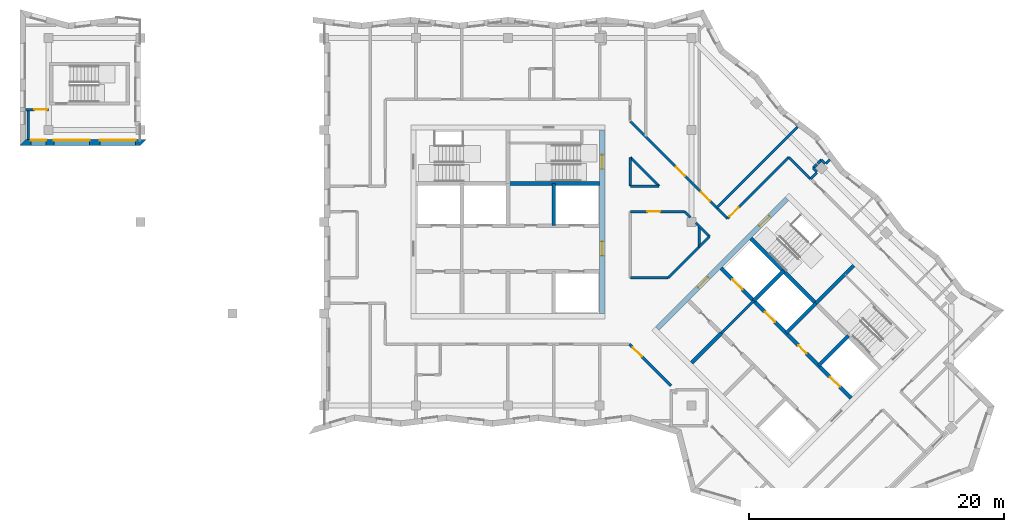
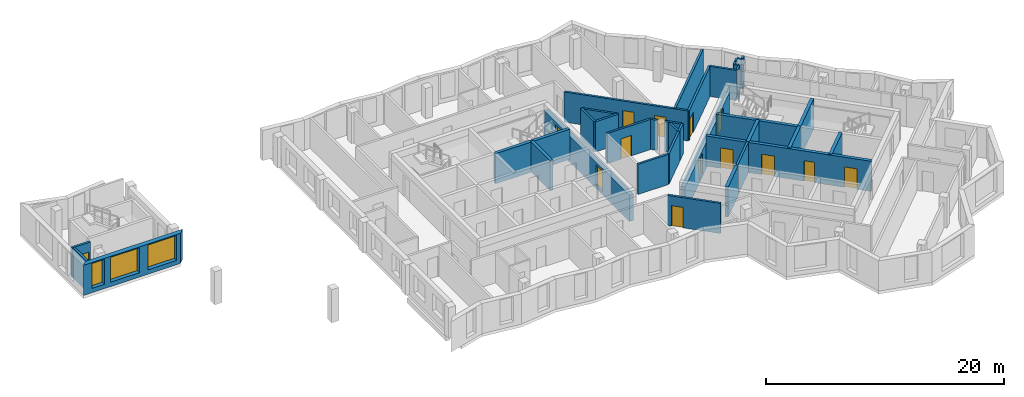
# One storey, part 4 of 12: 36 walls, 14 doors, 3 windows, 17 openings.
"""IFC4 building model written with IfcOpenShell, lengths in metres."""

from ifc_helpers import new_model, si_unit, direction, frame, frame_2d, origin, place, context, subcontext, project, spatial, polyline, rectangle, outline, extrude, material, layer, layer_set, type_object, element, fill, save


model = new_model("IFC4")

# Units and contexts
model_context = context("Model", 3, precision=1e-05, world=origin(), true_north=direction((0.0, 1.0)))
body_context = subcontext(model_context, "Body", "Model", "MODEL_VIEW")
ifc_project = project(units=[si_unit("LENGTHUNIT", "METRE"), si_unit("AREAUNIT", "SQUARE_METRE"), si_unit("VOLUMEUNIT", "CUBIC_METRE"), si_unit("PLANEANGLEUNIT", "RADIAN"), si_unit("MASSUNIT", "GRAM", prefix="KILO")], contexts=[model_context])

# Site, building, storey
site_placement = place(None, origin())
site = spatial("IfcSite", under=ifc_project, at=site_placement, CompositionType="ELEMENT")
building_placement = place(site_placement, origin())
building = spatial("IfcBuilding", under=site, at=building_placement, Name="Windrow Commons", CompositionType="ELEMENT")
storey_placement = place(building_placement, frame((0.0, 0.0, 260.8)))
storey = spatial("IfcBuildingStorey", under=building, at=storey_placement, Name="L71", CompositionType="ELEMENT", Elevation=260.8)

# Wall, openings, windows
ifc_material_1 = material(Name="Brick masonry, red clay brick", Category="masonry")
ifc_layer_1 = layer(ifc_material_1, 0.45)
ifc_layer_set_1 = layer_set([ifc_layer_1], Name="Brick facade wall 450")
wall_type_1 = type_object("IfcWallType", Name="Brick facade wall 450", PredefinedType="SOLIDWALL", material=ifc_layer_set_1)
wall_1_placement = place(storey_placement, frame((26.774, 63.825, 0.0), z_axis=(0.0, 0.0, 1.0), x_axis=(1.0, 0.0, 0.0)))
wall_1 = element("IfcWall", 1, at=wall_1_placement, inside=storey, type_object=wall_type_1, Name="Brick facade wall L71 32", PredefinedType="SOLIDWALL", context=body_context, shape_type="SweptSolid", body=[
    extrude(outline(polyline([(-0.225, -0.225), (9.226, -0.225), (9.676, 0.225), (0.225, 0.225), (-0.225, -0.225)])), origin(), (0.0, 0.0, 1.0), 3.1),
])
opening_1_placement = place(wall_1_placement, frame((2.426, 0.0, 0.45)))
opening_1 = element("IfcOpeningElement", 2, at=opening_1_placement, cuts=wall_1, Name="Opening W1V", PredefinedType="OPENING", context=body_context, shape_type="SweptSolid", body=[
    extrude(rectangle(XDim=2.8, YDim=2.55, at=frame_2d((1.4, 1.275))), frame((0.0, 0.235, 0.0), z_axis=(0.0, -1.0, 0.0), x_axis=(1.0, 0.0, 0.0)), (0.0, 0.0, 1.0), 0.47),
])
opening_2_placement = place(wall_1_placement, frame((6.0385, 0.0, 0.45)))
opening_2 = element("IfcOpeningElement", 3, at=opening_2_placement, cuts=wall_1, Name="Opening W1V", PredefinedType="OPENING", context=body_context, shape_type="SweptSolid", body=[
    extrude(rectangle(XDim=2.8, YDim=2.55, at=frame_2d((1.4, 1.275))), frame((0.0, 0.235, 0.0), z_axis=(0.0, -1.0, 0.0), x_axis=(1.0, 0.0, 0.0)), (0.0, 0.0, 1.0), 0.47),
])
opening_3_placement = place(wall_1_placement, frame((0.6255, 0.0, 0.45)))
opening_3 = element("IfcOpeningElement", 4, at=opening_3_placement, cuts=wall_1, Name="Opening W7F", PredefinedType="OPENING", context=body_context, shape_type="SweptSolid", body=[
    extrude(rectangle(XDim=1.2, YDim=2.55, at=frame_2d((0.6, 1.275))), frame((0.0, 0.235, 0.0), z_axis=(0.0, -1.0, 0.0), x_axis=(1.0, 0.0, 0.0)), (0.0, 0.0, 1.0), 0.47),
])
ifc_material_2 = material(Name="Clear float glass in anodised aluminium frame", Category="aluminium")
window_type_1 = type_object("IfcWindowType", Name="Window W1V bedroom 2800x2550", PartitioningType="SINGLE_PANEL", PredefinedType="WINDOW", material=ifc_material_2)
window_1_placement = place(opening_1_placement, origin())
window_1 = element("IfcWindow", 5, at=window_1_placement, inside=storey, type_object=window_type_1, Name="Window L71 32.1", OverallHeight=2.55, OverallWidth=2.8, PartitioningType="SINGLE_PANEL", PredefinedType="WINDOW", context=body_context, shape_type="SweptSolid", body=[
    extrude(rectangle(XDim=2.8, YDim=2.55, at=frame_2d((1.4, 1.275))), frame((0.0, 0.205, 0.0), z_axis=(0.0, -1.0, 0.0), x_axis=(1.0, 0.0, 0.0)), (0.0, 0.0, 1.0), 0.06),
])
fill(opening_1, window_1)
window_2_placement = place(opening_2_placement, origin())
window_2 = element("IfcWindow", 6, at=window_2_placement, inside=storey, type_object=window_type_1, Name="Window L71 32.2", OverallHeight=2.55, OverallWidth=2.8, PartitioningType="SINGLE_PANEL", PredefinedType="WINDOW", context=body_context, shape_type="SweptSolid", body=[
    extrude(rectangle(XDim=2.8, YDim=2.55, at=frame_2d((1.4, 1.275))), frame((0.0, 0.205, 0.0), z_axis=(0.0, -1.0, 0.0), x_axis=(1.0, 0.0, 0.0)), (0.0, 0.0, 1.0), 0.06),
])
fill(opening_2, window_2)
ifc_material_3 = material(Name="Clear float glass in anodised aluminium frame", Category="aluminium")
window_type_2 = type_object("IfcWindowType", Name="Window W7 notch 1200x2550", PartitioningType="SINGLE_PANEL", PredefinedType="WINDOW", material=ifc_material_3)
window_3_placement = place(opening_3_placement, origin())
window_3 = element("IfcWindow", 7, at=window_3_placement, inside=storey, type_object=window_type_2, Name="Window L71 32.3", OverallHeight=2.55, OverallWidth=1.2, PartitioningType="SINGLE_PANEL", PredefinedType="WINDOW", context=body_context, shape_type="SweptSolid", body=[
    extrude(rectangle(XDim=1.2, YDim=2.55, at=frame_2d((0.6, 1.275))), frame((0.0, 0.205, 0.0), z_axis=(0.0, -1.0, 0.0), x_axis=(1.0, 0.0, 0.0)), (0.0, 0.0, 1.0), 0.06),
])
fill(opening_3, window_3)

# Wall
ifc_material_4 = material(Name="Blockwork partition", Category="masonry")
ifc_layer_2 = layer(ifc_material_4, 0.2)
ifc_layer_set_2 = layer_set([ifc_layer_2], Name="Fire lobby partition 200")
wall_type_2 = type_object("IfcWallType", Name="Fire lobby partition 200", PredefinedType="PARTITIONING", material=ifc_layer_set_2)
wall_2_placement = place(storey_placement, frame((81.5335, 48.8776, 0.0), z_axis=(0.0, 0.0, 1.0), x_axis=(0.707092892, 0.7071206701, 0.0)))
element("IfcWall", 8, at=wall_2_placement, inside=storey, type_object=wall_type_2, Name="W-core-lobby-B-L71", PredefinedType="PARTITIONING", context=body_context, shape_type="SweptSolid", body=[
    extrude(rectangle(XDim=3.6, YDim=0.2, at=frame_2d((1.8, 0.0))), origin(), (0.0, 0.0, 1.0), 3.1),
])

# Wall, openings, doors
ifc_material_5 = material(Name="Blockwork partition", Category="masonry")
ifc_layer_3 = layer(ifc_material_5, 0.2)
ifc_layer_set_3 = layer_set([ifc_layer_3], Name="IW-CORRIDOR-200")
wall_type_3 = type_object("IfcWallType", Name="IW-CORRIDOR-200", PredefinedType="PARTITIONING", material=ifc_layer_set_3)
wall_3_placement = place(storey_placement, frame((74.3969, 65.4829, 0.0), z_axis=(0.0, 0.0, 1.0), x_axis=(0.7071067812, -0.7071067812, 0.0)))
wall_3 = element("IfcWall", 9, at=wall_3_placement, inside=storey, type_object=wall_type_3, Name="W-L71-W005", PredefinedType="PARTITIONING", context=body_context, shape_type="SweptSolid", body=[
    extrude(rectangle(XDim=10.7876, YDim=0.2, at=frame_2d((5.3938, 0.0))), origin(), (0.0, 0.0, 1.0), 3.1),
])
opening_4_placement = place(wall_3_placement, frame((5.0831, 0.0, 0.0)))
opening_4 = element("IfcOpeningElement", 10, at=opening_4_placement, cuts=wall_3, Name="Opening D310F", PredefinedType="OPENING", context=body_context, shape_type="SweptSolid", body=[
    extrude(rectangle(XDim=1.0, YDim=2.1, at=frame_2d((0.5, 1.05))), frame((0.0, 0.11, 0.0), z_axis=(0.0, -1.0, 0.0), x_axis=(1.0, 0.0, 0.0)), (0.0, 0.0, 1.0), 0.22),
])
opening_5_placement = place(wall_3_placement, frame((7.858, 0.0, 0.0)))
opening_5 = element("IfcOpeningElement", 11, at=opening_5_placement, cuts=wall_3, Name="Opening D310F", PredefinedType="OPENING", context=body_context, shape_type="SweptSolid", body=[
    extrude(rectangle(XDim=1.0, YDim=2.1, at=frame_2d((0.5, 1.05))), frame((0.0, 0.11, 0.0), z_axis=(0.0, -1.0, 0.0), x_axis=(1.0, 0.0, 0.0)), (0.0, 0.0, 1.0), 0.22),
])
ifc_material_6 = material(Name="Timber door leaf", Category="wood")
door_type_1 = type_object("IfcDoorType", Name="DT-AMENITY-1000", OperationType="SINGLE_SWING_LEFT", PredefinedType="DOOR", material=ifc_material_6)
door_1_placement = place(opening_4_placement, origin())
door_1 = element("IfcDoor", 12, at=door_1_placement, inside=storey, type_object=door_type_1, Name="D-L71-D016", OperationType="SINGLE_SWING_LEFT", OverallHeight=2.1, OverallWidth=1.0, PredefinedType="DOOR", context=body_context, shape_type="SweptSolid", body=[
    extrude(rectangle(XDim=1.0, YDim=2.1, at=frame_2d((0.5, 1.05))), frame((0.0, 0.025, 0.0), z_axis=(0.0, -1.0, 0.0), x_axis=(1.0, 0.0, 0.0)), (0.0, 0.0, 1.0), 0.05),
])
fill(opening_4, door_1)
door_2_placement = place(opening_5_placement, origin())
door_2 = element("IfcDoor", 13, at=door_2_placement, inside=storey, type_object=door_type_1, Name="D-L71-D018", OperationType="SINGLE_SWING_LEFT", OverallHeight=2.1, OverallWidth=1.0, PredefinedType="DOOR", context=body_context, shape_type="SweptSolid", body=[
    extrude(rectangle(XDim=1.0, YDim=2.1, at=frame_2d((0.5, 1.05))), frame((0.0, 0.025, 0.0), z_axis=(0.0, -1.0, 0.0), x_axis=(1.0, 0.0, 0.0)), (0.0, 0.0, 1.0), 0.05),
])
fill(opening_5, door_2)

# Wall, opening, door
wall_4_placement = place(storey_placement, frame((82.0275, 57.8585, 0.0), z_axis=(0.0, 0.0, 1.0), x_axis=(0.7071067812, 0.7071067812, 0.0)))
wall_4 = element("IfcWall", 14, at=wall_4_placement, inside=storey, type_object=wall_type_3, Name="W-L71-W012", PredefinedType="PARTITIONING", context=body_context, shape_type="SweptSolid", body=[
    extrude(rectangle(XDim=6.7995, YDim=0.2, at=frame_2d((3.3998, 0.0))), origin(), (0.0, 0.0, 1.0), 3.1),
])
opening_6_placement = place(wall_4_placement, frame((0.2109, 0.0, 0.0)))
opening_6 = element("IfcOpeningElement", 15, at=opening_6_placement, cuts=wall_4, Name="Opening D310F", PredefinedType="OPENING", context=body_context, shape_type="SweptSolid", body=[
    extrude(rectangle(XDim=1.0, YDim=2.1, at=frame_2d((0.5, 1.05))), frame((0.0, 0.11, 0.0), z_axis=(0.0, -1.0, 0.0), x_axis=(1.0, 0.0, 0.0)), (0.0, 0.0, 1.0), 0.22),
])
door_3_placement = place(opening_6_placement, origin())
door_3 = element("IfcDoor", 16, at=door_3_placement, inside=storey, type_object=door_type_1, Name="D-L71-D020", OperationType="SINGLE_SWING_RIGHT", OverallHeight=2.1, OverallWidth=1.0, PredefinedType="DOOR", context=body_context, shape_type="SweptSolid", body=[
    extrude(rectangle(XDim=1.0, YDim=2.1, at=frame_2d((0.5, 1.05))), frame((0.0, 0.025, 0.0), z_axis=(0.0, -1.0, 0.0), x_axis=(1.0, 0.0, 0.0)), (0.0, 0.0, 1.0), 0.05),
])
fill(opening_6, door_3)

wall_5_placement = place(storey_placement, frame((74.3468, 47.9968, 0.0), z_axis=(0.0, 0.0, 1.0), x_axis=(0.7071067812, -0.7071067812, 0.0)))
wall_5 = element("IfcWall", 17, at=wall_5_placement, inside=storey, type_object=wall_type_3, Name="W-L71-W023", PredefinedType="PARTITIONING", context=body_context, shape_type="SweptSolid", body=[
    extrude(rectangle(XDim=4.5962, YDim=0.2, at=frame_2d((2.2981, 0.0))), origin(), (0.0, 0.0, 1.0), 3.1),
])
opening_7_placement = place(wall_5_placement, frame((0.3498, 0.0, 0.0)))
opening_7 = element("IfcOpeningElement", 18, at=opening_7_placement, cuts=wall_5, Name="Opening D310F", PredefinedType="OPENING", context=body_context, shape_type="SweptSolid", body=[
    extrude(rectangle(XDim=1.0, YDim=2.1, at=frame_2d((0.5, 1.05))), frame((0.0, 0.11, 0.0), z_axis=(0.0, -1.0, 0.0), x_axis=(1.0, 0.0, 0.0)), (0.0, 0.0, 1.0), 0.22),
])
door_4_placement = place(opening_7_placement, origin())
door_4 = element("IfcDoor", 19, at=door_4_placement, inside=storey, type_object=door_type_1, Name="D-L71-D006", OperationType="SINGLE_SWING_LEFT", OverallHeight=2.1, OverallWidth=1.0, PredefinedType="DOOR", context=body_context, shape_type="SweptSolid", body=[
    extrude(rectangle(XDim=1.0, YDim=2.1, at=frame_2d((0.5, 1.05))), frame((0.0, 0.025, 0.0), z_axis=(0.0, -1.0, 0.0), x_axis=(1.0, 0.0, 0.0)), (0.0, 0.0, 1.0), 0.05),
])
fill(opening_7, door_4)

wall_6_placement = place(storey_placement, frame((74.402, 58.4, 0.0), z_axis=(0.0, 0.0, 1.0), x_axis=(1.0, 0.0, 0.0)))
wall_6 = element("IfcWall", 20, at=wall_6_placement, inside=storey, type_object=wall_type_3, Name="W-L71-W030", PredefinedType="PARTITIONING", context=body_context, shape_type="SweptSolid", body=[
    extrude(rectangle(XDim=4.256, YDim=0.2, at=frame_2d((2.128, 0.0))), origin(), (0.0, 0.0, 1.0), 3.1),
])
opening_8_placement = place(wall_6_placement, frame((1.3312, 0.0, 0.0)))
opening_8 = element("IfcOpeningElement", 21, at=opening_8_placement, cuts=wall_6, Name="Opening D310F", PredefinedType="OPENING", context=body_context, shape_type="SweptSolid", body=[
    extrude(rectangle(XDim=1.0, YDim=2.1, at=frame_2d((0.5, 1.05))), frame((0.0, 0.11, 0.0), z_axis=(0.0, -1.0, 0.0), x_axis=(1.0, 0.0, 0.0)), (0.0, 0.0, 1.0), 0.22),
])
door_5_placement = place(opening_8_placement, origin())
door_5 = element("IfcDoor", 22, at=door_5_placement, inside=storey, type_object=door_type_1, Name="D-L71-D008", OperationType="SINGLE_SWING_RIGHT", OverallHeight=2.1, OverallWidth=1.0, PredefinedType="DOOR", context=body_context, shape_type="SweptSolid", body=[
    extrude(rectangle(XDim=1.0, YDim=2.1, at=frame_2d((0.5, 1.05))), frame((0.0, 0.025, 0.0), z_axis=(0.0, -1.0, 0.0), x_axis=(1.0, 0.0, 0.0)), (0.0, 0.0, 1.0), 0.05),
])
fill(opening_8, door_5)

# Walls
wall_7_placement = place(storey_placement, frame((77.3695, 53.2005, 0.0), z_axis=(0.0, 0.0, 1.0), x_axis=(0.7071067812, 0.7071067812, 0.0)))
element("IfcWall", 23, at=wall_7_placement, inside=storey, type_object=wall_type_3, Name="W-L71-W034", PredefinedType="PARTITIONING", context=body_context, shape_type="SweptSolid", body=[
    extrude(rectangle(XDim=3.4365, YDim=0.2, at=frame_2d((1.7183, 0.0))), origin(), (0.0, 0.0, 1.0), 3.1),
])
wall_8_placement = place(storey_placement, frame((74.3987, 62.6527, 0.0), z_axis=(0.0, 0.0, 1.0), x_axis=(0.7071067812, -0.7071067812, 0.0)))
element("IfcWall", 24, at=wall_8_placement, inside=storey, type_object=wall_type_3, Name="W-L71-W040", PredefinedType="PARTITIONING", context=body_context, shape_type="SweptSolid", body=[
    extrude(rectangle(XDim=3.1876, YDim=0.2, at=frame_2d((1.5938, 0.0))), origin(), (0.0, 0.0, 1.0), 3.1),
])
wall_9_placement = place(storey_placement, frame((74.402, 53.2, 0.0), z_axis=(0.0, 0.0, 1.0), x_axis=(1.0, 0.0, 0.0)))
element("IfcWall", 25, at=wall_9_placement, inside=storey, type_object=wall_type_3, Name="W-L71-W043", PredefinedType="PARTITIONING", context=body_context, shape_type="SweptSolid", body=[
    extrude(rectangle(XDim=2.968, YDim=0.2, at=frame_2d((1.484, 0.0))), origin(), (0.0, 0.0, 1.0), 3.1),
])
wall_10_placement = place(storey_placement, frame((86.8333, 62.6633, 0.0), z_axis=(0.0, 0.0, 1.0), x_axis=(0.7075233388, -0.706689978, 0.0)))
element("IfcWall", 26, at=wall_10_placement, inside=storey, type_object=wall_type_3, Name="W-L71-W053", PredefinedType="PARTITIONING", context=body_context, shape_type="SweptSolid", body=[
    extrude(rectangle(XDim=2.3999, YDim=0.2, at=frame_2d((1.2, 0.0))), origin(), (0.0, 0.0, 1.0), 3.1),
])
wall_11_placement = place(storey_placement, frame((27.2, 64.05, 0.0), z_axis=(0.0, 0.0, 1.0), x_axis=(0.0, 1.0, 0.0)))
element("IfcWall", 27, at=wall_11_placement, inside=storey, type_object=wall_type_3, Name="W-L71-W057", PredefinedType="PARTITIONING", context=body_context, shape_type="SweptSolid", body=[
    extrude(rectangle(XDim=2.348, YDim=0.2, at=frame_2d((1.174, 0.0))), origin(), (0.0, 0.0, 1.0), 3.1),
])
for number, where, z_axis, x_axis, name in (
    (28, (74.402, 60.4, 0.0), (0.0, 0.0, 1.0), (1.0, 0.0, 0.0), "W-L71-W058"),
    (29, (74.4, 60.402, 0.0), (0.0, 0.0, 1.0), (0.0, 1.0, 0.0), "W-L71-W059"),
):
    element("IfcWall", number, at=place(storey_placement, frame(where, z_axis=z_axis, x_axis=x_axis)), inside=storey, type_object=wall_type_3, Name=name, PredefinedType="PARTITIONING", context=body_context, shape_type="SweptSolid", body=[
        extrude(rectangle(XDim=2.254, YDim=0.2, at=frame_2d((1.127, 0.0))), origin(), (0.0, 0.0, 1.0), 3.1),
    ])

# Wall, opening, door
wall_12_placement = place(storey_placement, frame((26.999, 66.4, 0.0), z_axis=(0.0, 0.0, 1.0), x_axis=(1.0, 0.0, 0.0)))
wall_12 = element("IfcWall", 30, at=wall_12_placement, inside=storey, type_object=wall_type_3, Name="W-L71-W071", PredefinedType="PARTITIONING", context=body_context, shape_type="SweptSolid", body=[
    extrude(rectangle(XDim=1.801, YDim=0.2, at=frame_2d((0.9005, 0.0))), origin(), (0.0, 0.0, 1.0), 3.1),
])
opening_9_placement = place(wall_12_placement, frame((0.678, 0.0, 0.0)))
opening_9 = element("IfcOpeningElement", 31, at=opening_9_placement, cuts=wall_12, Name="Opening D310F", PredefinedType="OPENING", context=body_context, shape_type="SweptSolid", body=[
    extrude(rectangle(XDim=1.0, YDim=2.1, at=frame_2d((0.5, 1.05))), frame((0.0, 0.11, 0.0), z_axis=(0.0, -1.0, 0.0), x_axis=(1.0, 0.0, 0.0)), (0.0, 0.0, 1.0), 0.22),
])
door_6_placement = place(opening_9_placement, origin())
door_6 = element("IfcDoor", 32, at=door_6_placement, inside=storey, type_object=door_type_1, Name="D-L71-D017", OperationType="SINGLE_SWING_LEFT", OverallHeight=2.1, OverallWidth=1.0, PredefinedType="DOOR", context=body_context, shape_type="SweptSolid", body=[
    extrude(rectangle(XDim=1.0, YDim=2.1, at=frame_2d((0.5, 1.05))), frame((0.0, 0.025, 0.0), z_axis=(0.0, -1.0, 0.0), x_axis=(1.0, 0.0, 0.0)), (0.0, 0.0, 1.0), 0.05),
])
fill(opening_9, door_6)

# Walls
wall_13_placement = place(storey_placement, frame((79.5467, 57.5047, 0.0), z_axis=(0.0, 0.0, 1.0), x_axis=(0.7071067812, -0.7071067812, 0.0)))
element("IfcWall", 33, at=wall_13_placement, inside=storey, type_object=wall_type_3, Name="W-L71-W073", PredefinedType="PARTITIONING", context=body_context, shape_type="SweptSolid", body=[
    extrude(rectangle(XDim=1.5047, YDim=0.2, at=frame_2d((0.7523, 0.0))), origin(), (0.0, 0.0, 1.0), 3.1),
])
wall_14_placement = place(storey_placement, frame((79.7979, 55.6321, 0.0), z_axis=(0.0, 0.0, 1.0), x_axis=(0.7079759957, 0.7062364969, 0.0)))
element("IfcWall", 34, at=wall_14_placement, inside=storey, type_object=wall_type_3, Name="W-L71-W075", PredefinedType="PARTITIONING", context=body_context, shape_type="SweptSolid", body=[
    extrude(rectangle(XDim=1.1498, YDim=0.2, at=frame_2d((0.5749, 0.0))), origin(), (0.0, 0.0, 1.0), 3.1),
])
wall_15_placement = place(storey_placement, frame((78.6547, 58.3967, 0.0), z_axis=(0.0, 0.0, 1.0), x_axis=(0.7071067812, -0.7071067812, 0.0)))
element("IfcWall", 35, at=wall_15_placement, inside=storey, type_object=wall_type_3, Name="W-L71-W089", PredefinedType="PARTITIONING", context=body_context, shape_type="SweptSolid", body=[
    extrude(rectangle(XDim=0.6364, YDim=0.2, at=frame_2d((0.3182, 0.0))), origin(), (0.0, 0.0, 1.0), 3.1),
])
ifc_material_7 = material(Name="Blockwork partition", Category="masonry")
ifc_layer_4 = layer(ifc_material_7, 0.2)
ifc_layer_set_4 = layer_set([ifc_layer_4], Name="IW-PARTY-200")
wall_type_4 = type_object("IfcWallType", Name="IW-PARTY-200", PredefinedType="PARTITIONING", material=ifc_layer_set_4)
wall_16_placement = place(storey_placement, frame((81.1789, 58.7071, 0.0), z_axis=(0.0, 0.0, 1.0), x_axis=(0.7071067812, 0.7071067812, 0.0)))
element("IfcWall", 36, at=wall_16_placement, inside=storey, type_object=wall_type_4, Name="W-L71-W007", PredefinedType="PARTITIONING", context=body_context, shape_type="SweptSolid", body=[
    extrude(rectangle(XDim=8.9804, YDim=0.2, at=frame_2d((4.4902, 0.0))), origin(), (0.0, 0.0, 1.0), 3.1),
])
wall_17_placement = place(storey_placement, frame((79.8, 55.63, 0.0), z_axis=(0.0, 0.0, 1.0), x_axis=(0.0, 1.0, 0.0)))
element("IfcWall", 37, at=wall_17_placement, inside=storey, type_object=wall_type_4, Name="W-L71-W070", PredefinedType="PARTITIONING", context=body_context, shape_type="SweptSolid", body=[
    extrude(rectangle(XDim=1.628, YDim=0.2, at=frame_2d((0.814, 0.0))), origin(), (0.0, 0.0, 1.0), 3.1),
])
wall_18_placement = place(storey_placement, frame((88.5335, 60.9705, 0.0), z_axis=(0.0, 0.0, 1.0), x_axis=(0.7071067812, 0.7071067812, 0.0)))
element("IfcWall", 38, at=wall_18_placement, inside=storey, type_object=wall_type_4, Name="W-L71-W084", PredefinedType="PARTITIONING", context=body_context, shape_type="SweptSolid", body=[
    extrude(rectangle(XDim=0.7043, YDim=0.2, at=frame_2d((0.3522, 0.0))), origin(), (0.0, 0.0, 1.0), 3.1),
])
for number, where, z_axis, x_axis, name in (
    (39, (88.7426, 61.8146, 0.0), (0.0, 0.0, 1.0), (0.7071067812, -0.7071067812, 0.0), "W-L71-W096"),
    (40, (89.3861, 62.4581, 0.0), (0.0, 0.0, 1.0), (0.7071067812, -0.7071067812, 0.0), "W-L71-W097"),
    (41, (88.7413, 61.8147, 0.0), (0.0, 0.0, 1.0), (0.7071067812, 0.7071067812, 0.0), "W-L71-W098"),
    (42, (89.0953, 62.1687, 0.0), (0.0, 0.0, 1.0), (0.7071067812, 0.7071067812, 0.0), "W-L71-W099"),
):
    element("IfcWall", number, at=place(storey_placement, frame(where, z_axis=z_axis, x_axis=x_axis)), inside=storey, type_object=wall_type_4, Name=name, PredefinedType="PARTITIONING", context=body_context, shape_type="SweptSolid", body=[
        extrude(rectangle(XDim=0.4101, YDim=0.2, at=frame_2d((0.2051, 0.0))), origin(), (0.0, 0.0, 1.0), 3.1),
    ])
wall_19_placement = place(storey_placement, frame((89.7315, 62.1685, 0.0), z_axis=(0.0, 0.0, 1.0), x_axis=(0.7071067812, 0.7071067812, 0.0)))
element("IfcWall", 43, at=wall_19_placement, inside=storey, type_object=wall_type_4, Name="W-L71-W100", PredefinedType="PARTITIONING", context=body_context, shape_type="SweptSolid", body=[
    extrude(rectangle(XDim=0.4316, YDim=0.2, at=frame_2d((0.2158, 0.0))), origin(), (0.0, 0.0, 1.0), 3.1),
])

# Wall, openings, doors
ifc_material_8 = material(Name="Concrete C40/50", Category="concrete")
ifc_layer_5 = layer(ifc_material_8, 0.4)
ifc_layer_set_5 = layer_set([ifc_layer_5], Name="RC CORE WALL 400 C40/50")
wall_type_5 = type_object("IfcWallType", Name="RC CORE WALL 400 C40/50", PredefinedType="SHEAR", material=ifc_layer_set_5)
wall_20_placement = place(storey_placement, frame((72.2, 50.4, -0.3), z_axis=(0.0, 0.0, 1.0), x_axis=(0.0, 1.0, 0.0)))
wall_20 = element("IfcWall", 44, at=wall_20_placement, inside=storey, type_object=wall_type_5, Name="Core A wall outer-E", PredefinedType="SHEAR", context=body_context, shape_type="SweptSolid", body=[
    extrude(rectangle(XDim=14.4, YDim=0.4, at=frame_2d((7.2, 0.0))), origin(), (0.0, 0.0, 1.0), 2.7),
])
opening_10_placement = place(wall_20_placement, frame((4.55, 0.0, 0.3)))
opening_10 = element("IfcOpeningElement", 45, at=opening_10_placement, cuts=wall_20, Name="Opening D6", PredefinedType="OPENING", context=body_context, shape_type="SweptSolid", body=[
    extrude(rectangle(XDim=1.1, YDim=2.1, at=frame_2d((0.55, 1.05))), frame((0.0, 0.21, 0.0), z_axis=(0.0, -1.0, 0.0), x_axis=(1.0, 0.0, 0.0)), (0.0, 0.0, 1.0), 0.42),
])
opening_11_placement = place(wall_20_placement, frame((11.35, 0.0, 0.3)))
opening_11 = element("IfcOpeningElement", 46, at=opening_11_placement, cuts=wall_20, Name="Opening D7", PredefinedType="OPENING", context=body_context, shape_type="SweptSolid", body=[
    extrude(rectangle(XDim=1.1, YDim=2.1, at=frame_2d((0.55, 1.05))), frame((0.0, 0.21, 0.0), z_axis=(0.0, -1.0, 0.0), x_axis=(1.0, 0.0, 0.0)), (0.0, 0.0, 1.0), 0.42),
])
ifc_material_9 = material(Name="Steel fire door leaf", Category="steel")
door_type_2 = type_object("IfcDoorType", Name="Core lobby door 1100", OperationType="SINGLE_SWING_LEFT", PredefinedType="DOOR", material=ifc_material_9)
door_7_placement = place(opening_10_placement, origin())
door_7 = element("IfcDoor", 47, at=door_7_placement, inside=storey, type_object=door_type_2, Name="Lift lobby door", OperationType="DOUBLE_DOOR_SINGLE_SWING", OverallHeight=2.1, OverallWidth=1.1, PredefinedType="DOOR", context=body_context, shape_type="SweptSolid", body=[
    extrude(rectangle(XDim=1.1, YDim=2.1, at=frame_2d((0.55, 1.05))), frame((0.0, 0.025, 0.0), z_axis=(0.0, -1.0, 0.0), x_axis=(1.0, 0.0, 0.0)), (0.0, 0.0, 1.0), 0.05),
])
fill(opening_10, door_7)
ifc_material_10 = material(Name="Steel fire door leaf", Category="steel")
door_type_3 = type_object("IfcDoorType", Name="Stair door 1100", OperationType="SINGLE_SWING_LEFT", PredefinedType="DOOR", material=ifc_material_10)
door_8_placement = place(opening_11_placement, origin())
door_8 = element("IfcDoor", 48, at=door_8_placement, inside=storey, type_object=door_type_3, Name="Stair door", OperationType="SINGLE_SWING_RIGHT", OverallHeight=2.1, OverallWidth=1.1, PredefinedType="DOOR", context=body_context, shape_type="SweptSolid", body=[
    extrude(rectangle(XDim=1.1, YDim=2.1, at=frame_2d((0.55, 1.05))), frame((0.0, 0.025, 0.0), z_axis=(0.0, -1.0, 0.0), x_axis=(1.0, 0.0, 0.0)), (0.0, 0.0, 1.0), 0.05),
])
fill(opening_11, door_8)

wall_21_placement = place(storey_placement, frame((76.513, 49.2312, -0.3), z_axis=(0.0, 0.0, 1.0), x_axis=(0.7071067812, 0.7071067812, 0.0)))
wall_21 = element("IfcWall", 49, at=wall_21_placement, inside=storey, type_object=wall_type_5, Name="Core B wall outer-W", PredefinedType="SHEAR", context=body_context, shape_type="SweptSolid", body=[
    extrude(rectangle(XDim=14.3999, YDim=0.4, at=frame_2d((7.2, 0.0))), origin(), (0.0, 0.0, 1.0), 2.7),
])
opening_12_placement = place(wall_21_placement, frame((4.55, 0.0, 0.3)))
opening_12 = element("IfcOpeningElement", 50, at=opening_12_placement, cuts=wall_21, Name="Opening D6", PredefinedType="OPENING", context=body_context, shape_type="SweptSolid", body=[
    extrude(rectangle(XDim=1.1, YDim=2.1, at=frame_2d((0.55, 1.05))), frame((0.0, 0.21, 0.0), z_axis=(0.0, -1.0, 0.0), x_axis=(1.0, 0.0, 0.0)), (0.0, 0.0, 1.0), 0.42),
])
opening_13_placement = place(wall_21_placement, frame((11.35, 0.0, 0.3)))
opening_13 = element("IfcOpeningElement", 51, at=opening_13_placement, cuts=wall_21, Name="Opening D7", PredefinedType="OPENING", context=body_context, shape_type="SweptSolid", body=[
    extrude(rectangle(XDim=1.1, YDim=2.1, at=frame_2d((0.55, 1.05))), frame((0.0, 0.21, 0.0), z_axis=(0.0, -1.0, 0.0), x_axis=(1.0, 0.0, 0.0)), (0.0, 0.0, 1.0), 0.42),
])
door_9_placement = place(opening_12_placement, origin())
door_9 = element("IfcDoor", 52, at=door_9_placement, inside=storey, type_object=door_type_2, Name="Lift lobby door", OperationType="DOUBLE_DOOR_SINGLE_SWING", OverallHeight=2.1, OverallWidth=1.1, PredefinedType="DOOR", context=body_context, shape_type="SweptSolid", body=[
    extrude(rectangle(XDim=1.1, YDim=2.1, at=frame_2d((0.55, 1.05))), frame((0.0, 0.025, 0.0), z_axis=(0.0, -1.0, 0.0), x_axis=(1.0, 0.0, 0.0)), (0.0, 0.0, 1.0), 0.05),
])
fill(opening_12, door_9)
door_10_placement = place(opening_13_placement, origin())
door_10 = element("IfcDoor", 53, at=door_10_placement, inside=storey, type_object=door_type_3, Name="Stair door", OperationType="SINGLE_SWING_LEFT", OverallHeight=2.1, OverallWidth=1.1, PredefinedType="DOOR", context=body_context, shape_type="SweptSolid", body=[
    extrude(rectangle(XDim=1.1, YDim=2.1, at=frame_2d((0.55, 1.05))), frame((0.0, 0.025, 0.0), z_axis=(0.0, -1.0, 0.0), x_axis=(1.0, 0.0, 0.0)), (0.0, 0.0, 1.0), 0.05),
])
fill(opening_13, door_10)

# Walls
ifc_material_11 = material(Name="Concrete C40/50", Category="concrete")
ifc_layer_6 = layer(ifc_material_11, 0.3)
ifc_layer_set_6 = layer_set([ifc_layer_6], Name="RC SHAFT WALL 300 C40/50")
wall_type_6 = type_object("IfcWallType", Name="RC SHAFT WALL 300 C40/50", PredefinedType="SOLIDWALL", material=ifc_layer_set_6)
wall_22_placement = place(storey_placement, frame((68.4, 57.3, 0.0), z_axis=(0.0, 0.0, 1.0), x_axis=(0.0, 1.0, 0.0)))
element("IfcWall", 54, at=wall_22_placement, inside=storey, type_object=wall_type_6, Name="Core A wall shaft-N3", PredefinedType="SOLIDWALL", context=body_context, shape_type="SweptSolid", body=[
    extrude(rectangle(XDim=3.3, YDim=0.3, at=frame_2d((1.65, 0.0))), origin(), (0.0, 0.0, 1.0), 3.1),
])
wall_23_placement = place(storey_placement, frame((64.8, 60.6, 0.0), z_axis=(0.0, 0.0, 1.0), x_axis=(1.0, 0.0, 0.0)))
element("IfcWall", 55, at=wall_23_placement, inside=storey, type_object=wall_type_6, Name="Core A wall stair-S2", PredefinedType="SOLIDWALL", context=body_context, shape_type="SweptSolid", body=[
    extrude(rectangle(XDim=7.2, YDim=0.3, at=frame_2d((3.6, 0.0))), origin(), (0.0, 0.0, 1.0), 3.1),
])
for number, where, z_axis, x_axis, name in (
    (56, (79.2, 46.5442, 0.0), (0.0, 0.0, 1.0), (0.7071219326, 0.7070916295, 0.0), "Core B wall shaft-S1"),
    (57, (84.079, 51.4232, 0.0), (0.0, 0.0, 1.0), (0.7071219326, 0.7070916295, 0.0), "Core B wall shaft-N1"),
):
    element("IfcWall", number, at=place(storey_placement, frame(where, z_axis=z_axis, x_axis=x_axis)), inside=storey, type_object=wall_type_6, Name=name, PredefinedType="SOLIDWALL", context=body_context, shape_type="SweptSolid", body=[
        extrude(rectangle(XDim=3.3, YDim=0.3, at=frame_2d((1.65, 0.0))), origin(), (0.0, 0.0, 1.0), 3.1),
    ])
for number, where, z_axis, x_axis, name in (
    (58, (86.6246, 48.8776, 0.0), (0.0, 0.0, 1.0), (0.7071067812, 0.7071067812, 0.0), "Core B wall shaft-N2"),
    (59, (89.1702, 46.332, 0.0), (0.0, 0.0, 1.0), (0.7071067812, 0.7071067812, 0.0), "Core B wall shaft-N3"),
):
    element("IfcWall", number, at=place(storey_placement, frame(where, z_axis=z_axis, x_axis=x_axis)), inside=storey, type_object=wall_type_6, Name=name, PredefinedType="SOLIDWALL", context=body_context, shape_type="SweptSolid", body=[
        extrude(rectangle(XDim=3.3001, YDim=0.3, at=frame_2d((1.6501, 0.0))), origin(), (0.0, 0.0, 1.0), 3.1),
    ])

# Wall, openings, doors
wall_24_placement = place(storey_placement, frame((81.5335, 53.9688, 0.0), z_axis=(0.0, 0.0, 1.0), x_axis=(0.707103309, -0.7071102534, 0.0)))
wall_24 = element("IfcWall", 60, at=wall_24_placement, inside=storey, type_object=wall_type_6, Name="Core B wall lobby-N", PredefinedType="SOLIDWALL", context=body_context, shape_type="SweptSolid", body=[
    extrude(rectangle(XDim=14.4, YDim=0.3, at=frame_2d((7.2, 0.0))), origin(), (0.0, 0.0, 1.0), 3.1),
])
opening_14_placement = place(wall_24_placement, frame((8.55, 0.0, 0.0)))
opening_14 = element("IfcOpeningElement", 61, at=opening_14_placement, cuts=wall_24, Name="Opening D8", PredefinedType="OPENING", context=body_context, shape_type="SweptSolid", body=[
    extrude(rectangle(XDim=0.9, YDim=2.1, at=frame_2d((0.45, 1.05))), frame((0.0, 0.16, 0.0), z_axis=(0.0, -1.0, 0.0), x_axis=(1.0, 0.0, 0.0)), (0.0, 0.0, 1.0), 0.32),
])
opening_15_placement = place(wall_24_placement, frame((1.25, 0.0, 0.0)))
opening_15 = element("IfcOpeningElement", 62, at=opening_15_placement, cuts=wall_24, Name="Opening LD", PredefinedType="OPENING", context=body_context, shape_type="SweptSolid", body=[
    extrude(rectangle(XDim=1.1, YDim=2.1, at=frame_2d((0.55, 1.05))), frame((0.0, 0.16, 0.0), z_axis=(0.0, -1.0, 0.0), x_axis=(1.0, 0.0, 0.0)), (0.0, 0.0, 1.0), 0.32),
])
opening_16_placement = place(wall_24_placement, frame((4.85, 0.0, 0.0)))
opening_16 = element("IfcOpeningElement", 63, at=opening_16_placement, cuts=wall_24, Name="Opening LD", PredefinedType="OPENING", context=body_context, shape_type="SweptSolid", body=[
    extrude(rectangle(XDim=1.1, YDim=2.1, at=frame_2d((0.55, 1.05))), frame((0.0, 0.16, 0.0), z_axis=(0.0, -1.0, 0.0), x_axis=(1.0, 0.0, 0.0)), (0.0, 0.0, 1.0), 0.32),
])
opening_17_placement = place(wall_24_placement, frame((12.05, 0.0, 0.0)))
opening_17 = element("IfcOpeningElement", 64, at=opening_17_placement, cuts=wall_24, Name="Opening LD", PredefinedType="OPENING", context=body_context, shape_type="SweptSolid", body=[
    extrude(rectangle(XDim=1.1, YDim=2.1, at=frame_2d((0.55, 1.05))), frame((0.0, 0.16, 0.0), z_axis=(0.0, -1.0, 0.0), x_axis=(1.0, 0.0, 0.0)), (0.0, 0.0, 1.0), 0.32),
])
ifc_material_12 = material(Name="Steel fire door leaf", Category="steel")
door_type_4 = type_object("IfcDoorType", Name="Core store door 900", OperationType="SINGLE_SWING_LEFT", PredefinedType="DOOR", material=ifc_material_12)
door_11_placement = place(opening_14_placement, origin())
door_11 = element("IfcDoor", 65, at=door_11_placement, inside=storey, type_object=door_type_4, Name="Store door", OperationType="SINGLE_SWING_LEFT", OverallHeight=2.1, OverallWidth=0.9, PredefinedType="DOOR", context=body_context, shape_type="SweptSolid", body=[
    extrude(rectangle(XDim=0.9, YDim=2.1, at=frame_2d((0.45, 1.05))), frame((0.0, 0.025, 0.0), z_axis=(0.0, -1.0, 0.0), x_axis=(1.0, 0.0, 0.0)), (0.0, 0.0, 1.0), 0.05),
])
fill(opening_14, door_11)
ifc_material_13 = material(Name="Stainless steel door leaf", Category="steel")
door_type_5 = type_object("IfcDoorType", Name="Lift landing door 1100", OperationType="SLIDING_TO_LEFT", PredefinedType="DOOR", material=ifc_material_13)
door_12_placement = place(opening_15_placement, origin())
door_12 = element("IfcDoor", 66, at=door_12_placement, inside=storey, type_object=door_type_5, Name="Lift landing door", OperationType="SLIDING_TO_LEFT", OverallHeight=2.1, OverallWidth=1.1, PredefinedType="DOOR", context=body_context, shape_type="SweptSolid", body=[
    extrude(rectangle(XDim=1.1, YDim=2.1, at=frame_2d((0.55, 1.05))), frame((0.0, 0.025, 0.0), z_axis=(0.0, -1.0, 0.0), x_axis=(1.0, 0.0, 0.0)), (0.0, 0.0, 1.0), 0.05),
])
fill(opening_15, door_12)
door_13_placement = place(opening_16_placement, origin())
door_13 = element("IfcDoor", 67, at=door_13_placement, inside=storey, type_object=door_type_5, Name="Lift landing door", OperationType="SLIDING_TO_RIGHT", OverallHeight=2.1, OverallWidth=1.1, PredefinedType="DOOR", context=body_context, shape_type="SweptSolid", body=[
    extrude(rectangle(XDim=1.1, YDim=2.1, at=frame_2d((0.55, 1.05))), frame((0.0, 0.025, 0.0), z_axis=(0.0, -1.0, 0.0), x_axis=(1.0, 0.0, 0.0)), (0.0, 0.0, 1.0), 0.05),
])
fill(opening_16, door_13)
door_14_placement = place(opening_17_placement, origin())
door_14 = element("IfcDoor", 68, at=door_14_placement, inside=storey, type_object=door_type_5, Name="Lift landing door", OperationType="SLIDING_TO_RIGHT", OverallHeight=2.1, OverallWidth=1.1, PredefinedType="DOOR", context=body_context, shape_type="SweptSolid", body=[
    extrude(rectangle(XDim=1.1, YDim=2.1, at=frame_2d((0.55, 1.05))), frame((0.0, 0.025, 0.0), z_axis=(0.0, -1.0, 0.0), x_axis=(1.0, 0.0, 0.0)), (0.0, 0.0, 1.0), 0.05),
])
fill(opening_17, door_14)

# Walls
wall_25_placement = place(storey_placement, frame((83.8669, 56.3022, 0.0), z_axis=(0.0, 0.0, 1.0), x_axis=(0.7071137256, -0.7070998367, 0.0)))
element("IfcWall", 69, at=wall_25_placement, inside=storey, type_object=wall_type_6, Name="Core B wall stair-S", PredefinedType="SOLIDWALL", context=body_context, shape_type="SweptSolid", body=[
    extrude(rectangle(XDim=7.2, YDim=0.3, at=frame_2d((3.6, 0.0))), origin(), (0.0, 0.0, 1.0), 3.1),
])
wall_26_placement = place(storey_placement, frame((88.9581, 51.2111, 0.0), z_axis=(0.0, 0.0, 1.0), x_axis=(0.7071067812, 0.7071067812, 0.0)))
element("IfcWall", 70, at=wall_26_placement, inside=storey, type_object=wall_type_6, Name="Core B wall stair-mid", PredefinedType="SOLIDWALL", context=body_context, shape_type="SweptSolid", body=[
    extrude(rectangle(XDim=4.1999, YDim=0.3, at=frame_2d((2.1, 0.0))), origin(), (0.0, 0.0, 1.0), 3.1),
])

save(model, "model.ifc")
